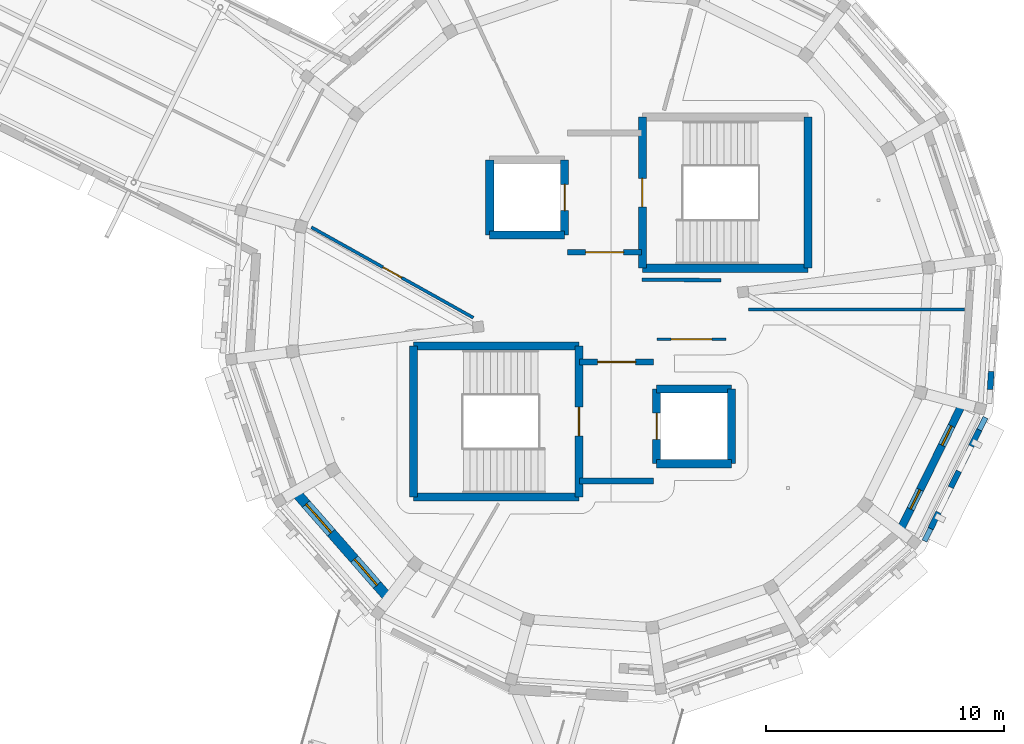
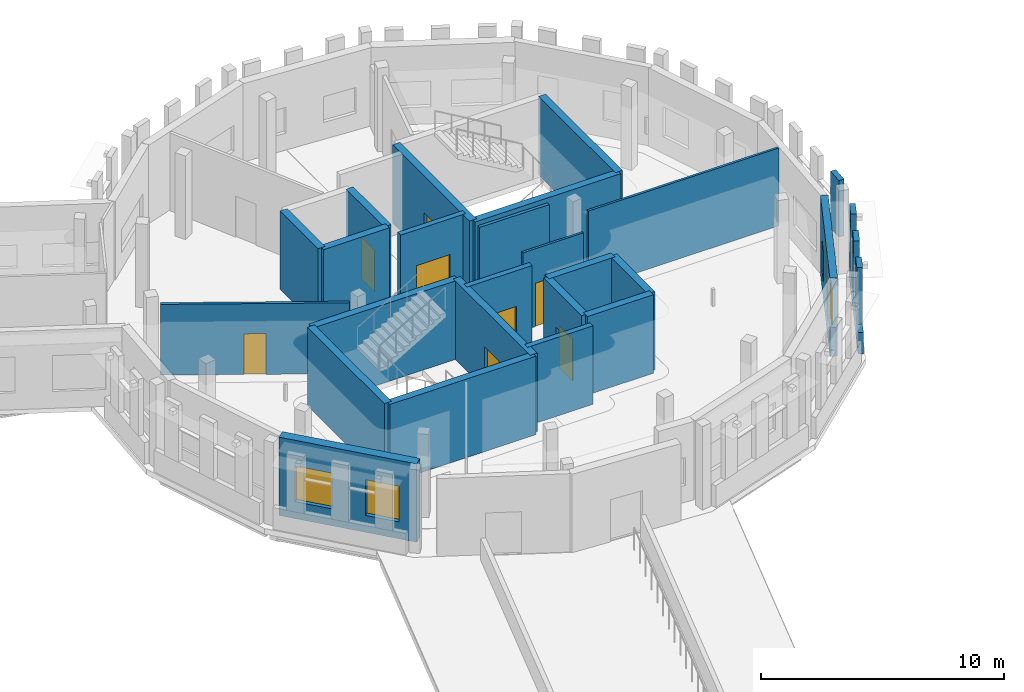
# One storey, part 50 of 68: 28 walls, 8 doors, 4 windows, 12 openings.
"""IFC4 building model written with IfcOpenShell, lengths in metres."""

from ifc_helpers import new_model, si_unit, direction, frame, frame_2d, origin, place, context, subcontext, project, spatial, rectangle, extrude, material, layer, layer_set, type_object, element, fill, save


model = new_model("IFC4")

# Units and contexts
model_context = context("Model", 3, precision=1e-05, world=origin(), true_north=direction((0.0, 1.0)))
body_context = subcontext(model_context, "Body", "Model", "MODEL_VIEW")
ifc_project = project(units=[si_unit("LENGTHUNIT", "METRE"), si_unit("AREAUNIT", "SQUARE_METRE"), si_unit("VOLUMEUNIT", "CUBIC_METRE"), si_unit("PLANEANGLEUNIT", "RADIAN"), si_unit("MASSUNIT", "GRAM", prefix="KILO")], contexts=[model_context])

# Site, building, storey
site_placement = place(None, origin())
site = spatial("IfcSite", under=ifc_project, at=site_placement, CompositionType="ELEMENT")
building_placement = place(site_placement, origin())
building = spatial("IfcBuilding", under=site, at=building_placement, Name="Wrenclough Park School", CompositionType="ELEMENT")
storey_placement = place(building_placement, frame((0.0, 0.0, 12.60009765625)))
storey = spatial("IfcBuildingStorey", under=building, at=storey_placement, Name="L03", CompositionType="ELEMENT", Elevation=12.60009765625)

# Walls
ifc_material_1 = material(Name="Perforated open-bond Staffordshire and Manchester brick screen pier", Category="masonry")
ifc_layer_1 = layer(ifc_material_1, 0.2451171875)
ifc_layer_set_1 = layer_set([ifc_layer_1], Name="Perforated open-bond Staffordshire and Manchester brick screen pier")
wall_type_1 = type_object("IfcWallType", Name="ENV-BS-PR245", PredefinedType="ELEMENTEDWALL", material=ifc_layer_set_1)
for number, where, z_axis, x_axis, name in (
    (1, (187.919921875, 84.308837890625, 1.08984375), (0.0, 0.0, 1.0), (0.442324339485, 0.896855160379, 0.0), "D5 L03 perforated brick screen pier 0878"),
    (2, (188.7724609375, 86.03759765625, 1.08984375), (0.0, 0.0, 1.0), (0.442324339485, 0.896855160379, 0.0), "D5 L03 perforated brick screen pier 0879"),
):
    element("IfcWall", number, at=place(storey_placement, frame(where, z_axis=z_axis, x_axis=x_axis)), inside=storey, type_object=wall_type_1, Name=name, PredefinedType="ELEMENTEDWALL", context=body_context, shape_type="SweptSolid", body=[
        extrude(rectangle(XDim=0.760009765625, YDim=0.2451171875, at=frame_2d((0.3798828125, 0.0))), origin(), (0.0, 0.0, 1.0), 2.85009765625),
    ])
wall_1_placement = place(storey_placement, frame((189.625, 87.7666015625, 1.08984375), z_axis=(0.0, 0.0, 1.0), x_axis=(0.442451801258, 0.896792285629, 0.0)))
element("IfcWall", 3, at=wall_1_placement, inside=storey, type_object=wall_type_1, Name="D5 L03 perforated brick screen pier 0880", PredefinedType="ELEMENTEDWALL", context=body_context, shape_type="SweptSolid", body=[
    extrude(rectangle(XDim=0.759765625, YDim=0.2451171875, at=frame_2d((0.3798828125, 0.0))), origin(), (0.0, 0.0, 1.0), 2.85009765625),
])
wall_2_placement = place(storey_placement, frame((190.415771484375, 90.14453125, 1.08984375), z_axis=(0.0, 0.0, 1.0), x_axis=(0.065218228618, 0.997871025061, 0.0)))
element("IfcWall", 4, at=wall_2_placement, inside=storey, type_object=wall_type_1, Name="D5 L03 perforated brick screen pier 0881", PredefinedType="ELEMENTEDWALL", context=body_context, shape_type="SweptSolid", body=[
    extrude(rectangle(XDim=0.760009765625, YDim=0.2451171875, at=frame_2d((0.3798828125, 0.0))), origin(), (0.0, 0.0, 1.0), 2.85009765625),
])
ifc_material_2 = material(Name="Open-bond Manchester multi-stock brick spandrel screen", Category="masonry")
ifc_layer_2 = layer(ifc_material_2, 0.22509765625)
ifc_layer_set_2 = layer_set([ifc_layer_2], Name="Open-bond Manchester multi-stock brick spandrel screen")
wall_type_2 = type_object("IfcWallType", Name="ENV-BS-SP225", PredefinedType="ELEMENTEDWALL", material=ifc_layer_set_2)
wall_3_placement = place(storey_placement, frame((187.66162109375, 83.78515625, 0.0), z_axis=(0.0, 0.0, 1.0), x_axis=(0.442309695915, 0.896862382364, 0.0)))
element("IfcWall", 5, at=wall_3_placement, inside=storey, type_object=wall_type_2, Name="D5 L03 open-bond brick screen spandrel 0238", PredefinedType="ELEMENTEDWALL", context=body_context, shape_type="SweptSolid", body=[
    extrude(rectangle(XDim=5.782958984375, YDim=0.22509765625, at=frame_2d((2.8916015625, 0.0))), origin(), (0.0, 0.0, 1.0), 1.08984375),
])

# Wall, openings, windows
ifc_material_3 = material(Name="Manchester multi-stock brick and Concrete C32/40 inner leaf", Category="masonry")
ifc_layer_3 = layer(ifc_material_3, 0.324951171875)
ifc_layer_set_3 = layer_set([ifc_layer_3], Name="Manchester multi-stock brick and Concrete C32/40 inner leaf")
wall_type_3 = type_object("IfcWallType", Name="ENV-EW-325", PredefinedType="SOLIDWALL", material=ifc_layer_set_3)
wall_4_placement = place(storey_placement, frame((189.257080078125, 89.5458984375, 0.0), z_axis=(0.0, 0.0, 1.0), x_axis=(-0.442275786664, -0.896879104746, 0.0)))
wall_4 = element("IfcWall", 6, at=wall_4_placement, inside=storey, type_object=wall_type_3, Name="L03 insulated brick external wall 0297", PredefinedType="SOLIDWALL", context=body_context, shape_type="SweptSolid", body=[
    extrude(rectangle(XDim=5.961181640625, YDim=0.324951171875, at=frame_2d((2.98046875, 0.0))), origin(), (0.0, 0.0, 1.0), 3.93994140625),
])
opening_1_placement = place(wall_4_placement, frame((1.040283203125, 0.0, 0.85009765625)))
opening_1 = element("IfcOpeningElement", 7, at=opening_1_placement, cuts=wall_4, Name="Opening WN-13", PredefinedType="OPENING", context=body_context, shape_type="SweptSolid", body=[
    extrude(rectangle(XDim=0.89990234375, YDim=1.60009765625, at=frame_2d((0.449951171875, 0.800048828125))), frame((0.0, 0.17236328125, 0.0), z_axis=(0.0, -1.0, 0.0), x_axis=(1.0, 0.0, 0.0)), (0.0, 0.0, 1.0), 0.344970703125),
])
opening_2_placement = place(wall_4_placement, frame((4.02099609375, 0.0, 0.85009765625)))
opening_2 = element("IfcOpeningElement", 8, at=opening_2_placement, cuts=wall_4, Name="Opening WN-13", PredefinedType="OPENING", context=body_context, shape_type="SweptSolid", body=[
    extrude(rectangle(XDim=0.89990234375, YDim=1.60009765625, at=frame_2d((0.449951171875, 0.800048828125))), frame((0.0, 0.17236328125, 0.0), z_axis=(0.0, -1.0, 0.0), x_axis=(1.0, 0.0, 0.0)), (0.0, 0.0, 1.0), 0.344970703125),
])
ifc_material_4 = material(Name="Thermally broken aluminium and double-glazed low-e glass", Category="aluminium")
window_type_1 = type_object("IfcWindowType", Name="ENV-WN-13", PartitioningType="SINGLE_PANEL", PredefinedType="WINDOW", material=ifc_material_4)
window_1_placement = place(opening_1_placement, origin())
window_1 = element("IfcWindow", 9, at=window_1_placement, inside=storey, type_object=window_type_1, Name="L03 scheduled facade window 0502", OverallHeight=1.60009765625, OverallWidth=0.89990234375, PartitioningType="SINGLE_PANEL", PredefinedType="WINDOW", context=body_context, shape_type="SweptSolid", body=[
    extrude(rectangle(XDim=0.89990234375, YDim=1.60009765625, at=frame_2d((0.449951171875, 0.800048828125))), frame((0.0, 0.030029296875, 0.0), z_axis=(0.0, -1.0, 0.0), x_axis=(1.0, 0.0, 0.0)), (0.0, 0.0, 1.0), 0.06005859375),
])
fill(opening_1, window_1)
window_2_placement = place(opening_2_placement, origin())
window_2 = element("IfcWindow", 10, at=window_2_placement, inside=storey, type_object=window_type_1, Name="L03 scheduled facade window 0503", OverallHeight=1.60009765625, OverallWidth=0.89990234375, PartitioningType="SINGLE_PANEL", PredefinedType="WINDOW", context=body_context, shape_type="SweptSolid", body=[
    extrude(rectangle(XDim=0.89990234375, YDim=1.60009765625, at=frame_2d((0.449951171875, 0.800048828125))), frame((0.0, 0.030029296875, 0.0), z_axis=(0.0, -1.0, 0.0), x_axis=(1.0, 0.0, 0.0)), (0.0, 0.0, 1.0), 0.06005859375),
])
fill(opening_2, window_2)

ifc_material_5 = material(Name="Insulated brick-clad sports hall wall Concrete C40/50", Category="masonry")
ifc_layer_4 = layer(ifc_material_5, 0.425048828125)
ifc_layer_set_4 = layer_set([ifc_layer_4], Name="Insulated brick-clad sports hall wall Concrete C40/50")
wall_type_4 = type_object("IfcWallType", Name="ENV-EW-425", PredefinedType="SOLIDWALL", material=ifc_layer_set_4)
wall_5_placement = place(storey_placement, frame((165.21533203125, 81.361572265625, 0.0), z_axis=(0.0, 0.0, 1.0), x_axis=(-0.659376339388, 0.7518130373, 0.0)))
wall_5 = element("IfcWall", 11, at=wall_5_placement, inside=storey, type_object=wall_type_4, Name="L03 insulated brick external wall 0253", PredefinedType="SOLIDWALL", context=body_context, shape_type="SweptSolid", body=[
    extrude(rectangle(XDim=5.98486328125, YDim=0.425048828125, at=frame_2d((2.992431640625, 0.0))), origin(), (0.0, 0.0, 1.0), 3.93994140625),
])
opening_3_placement = place(wall_5_placement, frame((0.771240234375, 0.0, 0.85009765625)))
opening_3 = element("IfcOpeningElement", 12, at=opening_3_placement, cuts=wall_5, Name="Opening WN-28", PredefinedType="OPENING", context=body_context, shape_type="SweptSolid", body=[
    extrude(rectangle(XDim=1.449951171875, YDim=1.800048828125, at=frame_2d((0.72509765625, 0.89990234375))), frame((0.0, 0.222412109375, 0.0), z_axis=(0.0, -1.0, 0.0), x_axis=(1.0, 0.0, 0.0)), (0.0, 0.0, 1.0), 0.445068359375),
])
opening_4_placement = place(wall_5_placement, frame((3.688720703125, 0.0, 0.85009765625)))
opening_4 = element("IfcOpeningElement", 13, at=opening_4_placement, cuts=wall_5, Name="Opening WN-29", PredefinedType="OPENING", context=body_context, shape_type="SweptSolid", body=[
    extrude(rectangle(XDim=1.60009765625, YDim=1.800048828125, at=frame_2d((0.800048828125, 0.89990234375))), frame((0.0, 0.222412109375, 0.0), z_axis=(0.0, -1.0, 0.0), x_axis=(1.0, 0.0, 0.0)), (0.0, 0.0, 1.0), 0.445068359375),
])
window_type_2 = type_object("IfcWindowType", Name="ENV-WN-28", PartitioningType="SINGLE_PANEL", PredefinedType="WINDOW", material=ifc_material_4)
window_3_placement = place(opening_3_placement, origin())
window_3 = element("IfcWindow", 14, at=window_3_placement, inside=storey, type_object=window_type_2, Name="L03 scheduled facade window 0419", OverallHeight=1.800048828125, OverallWidth=1.449951171875, PartitioningType="SINGLE_PANEL", PredefinedType="WINDOW", context=body_context, shape_type="SweptSolid", body=[
    extrude(rectangle(XDim=1.449951171875, YDim=1.800048828125, at=frame_2d((0.72509765625, 0.89990234375))), frame((0.0, 0.030029296875, 0.0), z_axis=(0.0, -1.0, 0.0), x_axis=(1.0, 0.0, 0.0)), (0.0, 0.0, 1.0), 0.06005859375),
])
fill(opening_3, window_3)
window_type_3 = type_object("IfcWindowType", Name="ENV-WN-29", PartitioningType="DOUBLE_PANEL_VERTICAL", PredefinedType="WINDOW", material=ifc_material_4)
window_4_placement = place(opening_4_placement, origin())
window_4 = element("IfcWindow", 15, at=window_4_placement, inside=storey, type_object=window_type_3, Name="L03 scheduled facade window 0420", OverallHeight=1.800048828125, OverallWidth=1.60009765625, PartitioningType="SINGLE_PANEL", PredefinedType="WINDOW", context=body_context, shape_type="SweptSolid", body=[
    extrude(rectangle(XDim=1.60009765625, YDim=1.800048828125, at=frame_2d((0.800048828125, 0.89990234375))), frame((0.0, 0.030029296875, 0.0), z_axis=(0.0, -1.0, 0.0), x_axis=(1.0, 0.0, 0.0)), (0.0, 0.0, 1.0), 0.06005859375),
])
fill(opening_4, window_4)

# Wall
ifc_material_6 = material(Name="Concrete C35/45", Category="concrete")
ifc_layer_5 = layer(ifc_material_6, 0.25)
ifc_layer_set_5 = layer_set([ifc_layer_5], Name="Concrete C35/45")
wall_type_5 = type_object("IfcWallType", Name="INT-CW-250", PredefinedType="SHEAR", material=ifc_layer_set_5)
wall_6_placement = place(storey_placement, frame((173.199951171875, 86.300048828125, 0.0), z_axis=(0.0, 0.0, 1.0), x_axis=(1.0, 0.0, 0.0)))
element("IfcWall", 16, at=wall_6_placement, inside=storey, type_object=wall_type_5, Name="Core C5 L03 lobby fire wall south", PredefinedType="SHEAR", context=body_context, shape_type="SweptSolid", body=[
    extrude(rectangle(XDim=3.10009765625, YDim=0.25, at=frame_2d((1.550048828125, 0.0))), origin(), (0.0, 0.0, 1.0), 3.949951171875),
])

# Wall, opening, door
wall_7_placement = place(storey_placement, frame((176.300048828125, 91.300048828125, 0.0), z_axis=(0.0, 0.0, 1.0), x_axis=(-1.0, 0.0, 0.0)))
wall_7 = element("IfcWall", 17, at=wall_7_placement, inside=storey, type_object=wall_type_5, Name="Core C5 L03 lobby fire wall north", PredefinedType="SHEAR", context=body_context, shape_type="SweptSolid", body=[
    extrude(rectangle(XDim=3.10009765625, YDim=0.25, at=frame_2d((1.550048828125, 0.0))), origin(), (0.0, 0.0, 1.0), 3.949951171875),
])
opening_5_placement = place(wall_7_placement, frame((0.75, 0.0, 0.0)))
opening_5 = element("IfcOpeningElement", 18, at=opening_5_placement, cuts=wall_7, Name="Opening DLB-C5-L03", PredefinedType="OPENING", context=body_context, shape_type="SweptSolid", body=[
    extrude(rectangle(XDim=1.60009765625, YDim=2.14990234375, at=frame_2d((0.800048828125, 1.074951171875))), frame((0.0, 0.135009765625, 0.0), z_axis=(0.0, -1.0, 0.0), x_axis=(1.0, 0.0, 0.0)), (0.0, 0.0, 1.0), 0.27001953125),
])
ifc_material_7 = material(Name="Double-leaf firefighting lobby door assembly", Category="wood")
door_type_1 = type_object("IfcDoorType", Name="INT-DR-FF160", OperationType="NOTDEFINED", PredefinedType="DOOR", material=ifc_material_7)
door_1_placement = place(opening_5_placement, origin())
door_1 = element("IfcDoor", 19, at=door_1_placement, inside=storey, type_object=door_type_1, Name="Core C5 L03 protected lobby fire door", OperationType="DOUBLE_DOOR_SINGLE_SWING", OverallHeight=2.14990234375, OverallWidth=1.60009765625, PredefinedType="DOOR", context=body_context, shape_type="SweptSolid", body=[
    extrude(rectangle(XDim=1.60009765625, YDim=2.14990234375, at=frame_2d((0.800048828125, 1.074951171875))), frame((0.0, 0.02490234375, 0.0), z_axis=(0.0, -1.0, 0.0), x_axis=(1.0, 0.0, 0.0)), (0.0, 0.0, 1.0), 0.050048828125),
])
fill(opening_5, door_1)

wall_8_placement = place(storey_placement, frame((172.699951171875, 95.89990234375, 0.0), z_axis=(0.0, 0.0, 1.0), x_axis=(1.0, 0.0, 0.0)))
wall_8 = element("IfcWall", 20, at=wall_8_placement, inside=storey, type_object=wall_type_5, Name="Core C6 L03 lobby fire wall south", PredefinedType="SHEAR", context=body_context, shape_type="SweptSolid", body=[
    extrude(rectangle(XDim=3.10009765625, YDim=0.25, at=frame_2d((1.550048828125, 0.0))), origin(), (0.0, 0.0, 1.0), 3.949951171875),
])
opening_6_placement = place(wall_8_placement, frame((0.75, 0.0, 0.0)))
opening_6 = element("IfcOpeningElement", 21, at=opening_6_placement, cuts=wall_8, Name="Opening DLB-C6-L03", PredefinedType="OPENING", context=body_context, shape_type="SweptSolid", body=[
    extrude(rectangle(XDim=1.60009765625, YDim=2.14990234375, at=frame_2d((0.800048828125, 1.074951171875))), frame((0.0, 0.135009765625, 0.0), z_axis=(0.0, -1.0, 0.0), x_axis=(1.0, 0.0, 0.0)), (0.0, 0.0, 1.0), 0.27001953125),
])
door_2_placement = place(opening_6_placement, origin())
door_2 = element("IfcDoor", 22, at=door_2_placement, inside=storey, type_object=door_type_1, Name="Core C6 L03 protected lobby fire door", OperationType="DOUBLE_DOOR_SINGLE_SWING", OverallHeight=2.14990234375, OverallWidth=1.60009765625, PredefinedType="DOOR", context=body_context, shape_type="SweptSolid", body=[
    extrude(rectangle(XDim=1.60009765625, YDim=2.14990234375, at=frame_2d((0.800048828125, 1.074951171875))), frame((0.0, 0.02490234375, 0.0), z_axis=(0.0, -1.0, 0.0), x_axis=(1.0, 0.0, 0.0)), (0.0, 0.0, 1.0), 0.050048828125),
])
fill(opening_6, door_2)

# Wall
ifc_material_8 = material(Name="Concrete C40/50", Category="concrete")
ifc_layer_6 = layer(ifc_material_8, 0.340087890625)
ifc_layer_set_6 = layer_set([ifc_layer_6], Name="Concrete C40/50")
wall_type_6 = type_object("IfcWallType", Name="INT-CW-340", PredefinedType="SHEAR", material=ifc_layer_set_6)
wall_9_placement = place(storey_placement, frame((166.22998046875, 85.6298828125, 0.0), z_axis=(0.0, 0.0, 1.0), x_axis=(1.0, 0.0, 0.0)))
element("IfcWall", 23, at=wall_9_placement, inside=storey, type_object=wall_type_6, Name="Core C5 L03 south shear wall", PredefinedType="SHEAR", context=body_context, shape_type="SweptSolid", body=[
    extrude(rectangle(XDim=6.93994140625, YDim=0.340087890625, at=frame_2d((3.469970703125, 0.0))), origin(), (0.0, 0.0, 1.0), 3.949951171875),
])

# Wall, opening, door
wall_10_placement = place(storey_placement, frame((173.169921875, 85.6298828125, 0.0), z_axis=(0.0, 0.0, 1.0), x_axis=(0.0, 1.0, 0.0)))
wall_10 = element("IfcWall", 24, at=wall_10_placement, inside=storey, type_object=wall_type_6, Name="Core C5 L03 east shear wall", PredefinedType="SHEAR", context=body_context, shape_type="SweptSolid", body=[
    extrude(rectangle(XDim=6.340087890625, YDim=0.340087890625, at=frame_2d((3.169921875, 0.0))), origin(), (0.0, 0.0, 1.0), 3.949951171875),
])
opening_7_placement = place(wall_10_placement, frame((2.570068359375, 0.0, 0.0)))
opening_7 = element("IfcOpeningElement", 25, at=opening_7_placement, cuts=wall_10, Name="Opening DST-C5-L03", PredefinedType="OPENING", context=body_context, shape_type="SweptSolid", body=[
    extrude(rectangle(XDim=1.199951171875, YDim=2.10009765625, at=frame_2d((0.60009765625, 1.050048828125))), frame((0.0, 0.179931640625, 0.0), z_axis=(0.0, -1.0, 0.0), x_axis=(1.0, 0.0, 0.0)), (0.0, 0.0, 1.0), 0.360107421875),
])
ifc_material_9 = material(Name="Solid-core hardwood firefighting stair door assembly", Category="wood")
door_type_2 = type_object("IfcDoorType", Name="INT-DR-FF120", OperationType="NOTDEFINED", PredefinedType="DOOR", material=ifc_material_9)
door_3_placement = place(opening_7_placement, origin())
door_3 = element("IfcDoor", 26, at=door_3_placement, inside=storey, type_object=door_type_2, Name="Stair ST-05 L03 fire door", OperationType="SINGLE_SWING_RIGHT", OverallHeight=2.10009765625, OverallWidth=1.199951171875, PredefinedType="DOOR", context=body_context, shape_type="SweptSolid", body=[
    extrude(rectangle(XDim=1.199951171875, YDim=2.10009765625, at=frame_2d((0.60009765625, 1.050048828125))), frame((0.0, 0.02490234375, 0.0), z_axis=(0.0, -1.0, 0.0), x_axis=(1.0, 0.0, 0.0)), (0.0, 0.0, 1.0), 0.050048828125),
])
fill(opening_7, door_3)

# Walls
wall_11_placement = place(storey_placement, frame((173.169921875, 91.969970703125, 0.0), z_axis=(0.0, 0.0, 1.0), x_axis=(-1.0, 0.0, 0.0)))
element("IfcWall", 27, at=wall_11_placement, inside=storey, type_object=wall_type_6, Name="Core C5 L03 north shear wall", PredefinedType="SHEAR", context=body_context, shape_type="SweptSolid", body=[
    extrude(rectangle(XDim=6.93994140625, YDim=0.340087890625, at=frame_2d((3.469970703125, 0.0))), origin(), (0.0, 0.0, 1.0), 3.949951171875),
])
wall_12_placement = place(storey_placement, frame((166.22998046875, 91.969970703125, 0.0), z_axis=(0.0, 0.0, 1.0), x_axis=(0.0, -1.0, 0.0)))
element("IfcWall", 28, at=wall_12_placement, inside=storey, type_object=wall_type_6, Name="Core C5 L03 west shear wall", PredefinedType="SHEAR", context=body_context, shape_type="SweptSolid", body=[
    extrude(rectangle(XDim=6.340087890625, YDim=0.340087890625, at=frame_2d((3.169921875, 0.0))), origin(), (0.0, 0.0, 1.0), 3.949951171875),
])
wall_13_placement = place(storey_placement, frame((176.429931640625, 87.030029296875, 0.0), z_axis=(0.0, 0.0, 1.0), x_axis=(1.0, 0.0, 0.0)))
element("IfcWall", 29, at=wall_13_placement, inside=storey, type_object=wall_type_6, Name="Lift LFT-01 L03 south shaft wall", PredefinedType="SHEAR", context=body_context, shape_type="SweptSolid", body=[
    extrude(rectangle(XDim=3.14013671875, YDim=0.340087890625, at=frame_2d((1.570068359375, 0.0))), origin(), (0.0, 0.0, 1.0), 3.949951171875),
])
wall_14_placement = place(storey_placement, frame((179.570068359375, 87.030029296875, 0.0), z_axis=(0.0, 0.0, 1.0), x_axis=(0.0, 1.0, 0.0)))
element("IfcWall", 30, at=wall_14_placement, inside=storey, type_object=wall_type_6, Name="Lift LFT-01 L03 east shaft wall", PredefinedType="SHEAR", context=body_context, shape_type="SweptSolid", body=[
    extrude(rectangle(XDim=3.139892578125, YDim=0.340087890625, at=frame_2d((1.56982421875, 0.0))), origin(), (0.0, 0.0, 1.0), 3.949951171875),
])
wall_15_placement = place(storey_placement, frame((179.570068359375, 90.169921875, 0.0), z_axis=(0.0, 0.0, 1.0), x_axis=(-1.0, 0.0, 0.0)))
element("IfcWall", 31, at=wall_15_placement, inside=storey, type_object=wall_type_6, Name="Lift LFT-01 L03 north shaft wall", PredefinedType="SHEAR", context=body_context, shape_type="SweptSolid", body=[
    extrude(rectangle(XDim=3.14013671875, YDim=0.340087890625, at=frame_2d((1.570068359375, 0.0))), origin(), (0.0, 0.0, 1.0), 3.949951171875),
])

# Wall, opening, door
wall_16_placement = place(storey_placement, frame((176.429931640625, 90.169921875, 0.0), z_axis=(0.0, 0.0, 1.0), x_axis=(0.0, -1.0, 0.0)))
wall_16 = element("IfcWall", 32, at=wall_16_placement, inside=storey, type_object=wall_type_6, Name="Lift LFT-01 L03 west shaft wall", PredefinedType="SHEAR", context=body_context, shape_type="SweptSolid", body=[
    extrude(rectangle(XDim=3.139892578125, YDim=0.340087890625, at=frame_2d((1.56982421875, 0.0))), origin(), (0.0, 0.0, 1.0), 3.949951171875),
])
opening_8_placement = place(wall_16_placement, frame((1.02001953125, 0.0, 0.0)))
opening_8 = element("IfcOpeningElement", 33, at=opening_8_placement, cuts=wall_16, Name="Opening LD-01-L03", PredefinedType="OPENING", context=body_context, shape_type="SweptSolid", body=[
    extrude(rectangle(XDim=1.10009765625, YDim=2.10009765625, at=frame_2d((0.550048828125, 1.050048828125))), frame((0.0, 0.179931640625, 0.0), z_axis=(0.0, -1.0, 0.0), x_axis=(1.0, 0.0, 0.0)), (0.0, 0.0, 1.0), 0.360107421875),
])
ifc_material_10 = material(Name="Brushed stainless steel", Category="steel")
door_type_3 = type_object("IfcDoorType", Name="INT-DR-LD110", OperationType="NOTDEFINED", PredefinedType="DOOR", material=ifc_material_10)
door_4_placement = place(opening_8_placement, frame((1.10009765625, 0.0, 0.0), z_axis=(0.0, 0.0, 1.0), x_axis=(-1.0, 0.0, 0.0)))
door_4 = element("IfcDoor", 34, at=door_4_placement, inside=storey, type_object=door_type_3, Name="Lift LFT-01 L03 sliding landing door", OperationType="DOUBLE_DOOR_SLIDING", OverallHeight=2.10009765625, OverallWidth=1.10009765625, PredefinedType="DOOR", context=body_context, shape_type="SweptSolid", body=[
    extrude(rectangle(XDim=1.10009765625, YDim=2.10009765625, at=frame_2d((0.550048828125, 1.050048828125))), frame((0.0, 0.02490234375, 0.0), z_axis=(0.0, -1.0, 0.0), x_axis=(1.0, 0.0, 0.0)), (0.0, 0.0, 1.0), 0.050048828125),
])
fill(opening_8, door_4)

# Walls
wall_17_placement = place(storey_placement, frame((175.830078125, 95.22998046875, 0.0), z_axis=(0.0, 0.0, 1.0), x_axis=(1.0, 0.0, 0.0)))
element("IfcWall", 35, at=wall_17_placement, inside=storey, type_object=wall_type_6, Name="Core C6 L03 south shear wall", PredefinedType="SHEAR", context=body_context, shape_type="SweptSolid", body=[
    extrude(rectangle(XDim=6.93994140625, YDim=0.340087890625, at=frame_2d((3.469970703125, 0.0))), origin(), (0.0, 0.0, 1.0), 3.949951171875),
])
wall_18_placement = place(storey_placement, frame((182.77001953125, 95.22998046875, 0.0), z_axis=(0.0, 0.0, 1.0), x_axis=(0.0, 1.0, 0.0)))
element("IfcWall", 36, at=wall_18_placement, inside=storey, type_object=wall_type_6, Name="Core C6 L03 east shear wall", PredefinedType="SHEAR", context=body_context, shape_type="SweptSolid", body=[
    extrude(rectangle(XDim=6.340087890625, YDim=0.340087890625, at=frame_2d((3.169921875, 0.0))), origin(), (0.0, 0.0, 1.0), 3.949951171875),
])

# Wall, opening, door
wall_19_placement = place(storey_placement, frame((175.830078125, 101.570068359375, 0.0), z_axis=(0.0, 0.0, 1.0), x_axis=(0.0, -1.0, 0.0)))
wall_19 = element("IfcWall", 37, at=wall_19_placement, inside=storey, type_object=wall_type_6, Name="Core C6 L03 west shear wall", PredefinedType="SHEAR", context=body_context, shape_type="SweptSolid", body=[
    extrude(rectangle(XDim=6.340087890625, YDim=0.340087890625, at=frame_2d((3.169921875, 0.0))), origin(), (0.0, 0.0, 1.0), 3.949951171875),
])
opening_9_placement = place(wall_19_placement, frame((2.570068359375, 0.0, 0.0)))
opening_9 = element("IfcOpeningElement", 38, at=opening_9_placement, cuts=wall_19, Name="Opening DST-C6-L03", PredefinedType="OPENING", context=body_context, shape_type="SweptSolid", body=[
    extrude(rectangle(XDim=1.199951171875, YDim=2.10009765625, at=frame_2d((0.60009765625, 1.050048828125))), frame((0.0, 0.179931640625, 0.0), z_axis=(0.0, -1.0, 0.0), x_axis=(1.0, 0.0, 0.0)), (0.0, 0.0, 1.0), 0.360107421875),
])
door_5_placement = place(opening_9_placement, origin())
door_5 = element("IfcDoor", 39, at=door_5_placement, inside=storey, type_object=door_type_2, Name="Stair ST-06 L03 fire door", OperationType="SINGLE_SWING_RIGHT", OverallHeight=2.10009765625, OverallWidth=1.199951171875, PredefinedType="DOOR", context=body_context, shape_type="SweptSolid", body=[
    extrude(rectangle(XDim=1.199951171875, YDim=2.10009765625, at=frame_2d((0.60009765625, 1.050048828125))), frame((0.0, 0.02490234375, 0.0), z_axis=(0.0, -1.0, 0.0), x_axis=(1.0, 0.0, 0.0)), (0.0, 0.0, 1.0), 0.050048828125),
])
fill(opening_9, door_5)

# Wall
wall_20_placement = place(storey_placement, frame((169.429931640625, 96.6298828125, 0.0), z_axis=(0.0, 0.0, 1.0), x_axis=(1.0, 0.0, 0.0)))
element("IfcWall", 40, at=wall_20_placement, inside=storey, type_object=wall_type_6, Name="Lift LFT-02 L03 south shaft wall", PredefinedType="SHEAR", context=body_context, shape_type="SweptSolid", body=[
    extrude(rectangle(XDim=3.14013671875, YDim=0.340087890625, at=frame_2d((1.570068359375, 0.0))), origin(), (0.0, 0.0, 1.0), 3.949951171875),
])

# Wall, opening, door
wall_21_placement = place(storey_placement, frame((172.570068359375, 96.6298828125, 0.0), z_axis=(0.0, 0.0, 1.0), x_axis=(0.0, 1.0, 0.0)))
wall_21 = element("IfcWall", 41, at=wall_21_placement, inside=storey, type_object=wall_type_6, Name="Lift LFT-02 L03 east shaft wall", PredefinedType="SHEAR", context=body_context, shape_type="SweptSolid", body=[
    extrude(rectangle(XDim=3.14013671875, YDim=0.340087890625, at=frame_2d((1.570068359375, 0.0))), origin(), (0.0, 0.0, 1.0), 3.949951171875),
])
opening_10_placement = place(wall_21_placement, frame((1.02001953125, 0.0, 0.0)))
opening_10 = element("IfcOpeningElement", 42, at=opening_10_placement, cuts=wall_21, Name="Opening LD-02-L03", PredefinedType="OPENING", context=body_context, shape_type="SweptSolid", body=[
    extrude(rectangle(XDim=1.10009765625, YDim=2.10009765625, at=frame_2d((0.550048828125, 1.050048828125))), frame((0.0, 0.179931640625, 0.0), z_axis=(0.0, -1.0, 0.0), x_axis=(1.0, 0.0, 0.0)), (0.0, 0.0, 1.0), 0.360107421875),
])
door_6_placement = place(opening_10_placement, frame((1.10009765625, 0.0, 0.0), z_axis=(0.0, 0.0, 1.0), x_axis=(-1.0, 0.0, 0.0)))
door_6 = element("IfcDoor", 43, at=door_6_placement, inside=storey, type_object=door_type_3, Name="Lift LFT-02 L03 sliding landing door", OperationType="DOUBLE_DOOR_SLIDING", OverallHeight=2.10009765625, OverallWidth=1.10009765625, PredefinedType="DOOR", context=body_context, shape_type="SweptSolid", body=[
    extrude(rectangle(XDim=1.10009765625, YDim=2.10009765625, at=frame_2d((0.550048828125, 1.050048828125))), frame((0.0, 0.02490234375, 0.0), z_axis=(0.0, -1.0, 0.0), x_axis=(1.0, 0.0, 0.0)), (0.0, 0.0, 1.0), 0.050048828125),
])
fill(opening_10, door_6)

# Wall
wall_22_placement = place(storey_placement, frame((169.429931640625, 99.77001953125, 0.0), z_axis=(0.0, 0.0, 1.0), x_axis=(0.0, -1.0, 0.0)))
element("IfcWall", 44, at=wall_22_placement, inside=storey, type_object=wall_type_6, Name="Lift LFT-02 L03 west shaft wall", PredefinedType="SHEAR", context=body_context, shape_type="SweptSolid", body=[
    extrude(rectangle(XDim=3.14013671875, YDim=0.340087890625, at=frame_2d((1.570068359375, 0.0))), origin(), (0.0, 0.0, 1.0), 3.949951171875),
])

# Wall, opening, door
ifc_material_11 = material(Name="Lightweight fire-rated store partition", Category="gypsum")
ifc_layer_7 = layer(ifc_material_11, 0.110107421875)
ifc_layer_set_7 = layer_set([ifc_layer_7], Name="Lightweight fire-rated store partition")
wall_type_7 = type_object("IfcWallType", Name="INT-PW-110", PredefinedType="PARTITIONING", material=ifc_layer_set_7)
wall_23_placement = place(storey_placement, frame((179.33251953125, 92.25, 0.0), z_axis=(0.0, 0.0, 1.0), x_axis=(-1.0, 0.0, 0.0)))
wall_23 = element("IfcWall", 45, at=wall_23_placement, inside=storey, type_object=wall_type_7, Name="L03 internal partition 0480", PredefinedType="PARTITIONING", context=body_context, shape_type="SweptSolid", body=[
    extrude(rectangle(XDim=2.881103515625, YDim=0.110107421875, at=frame_2d((1.4404296875, 0.0))), origin(), (0.0, 0.0, 1.0), 3.914794921875),
])
opening_11_placement = place(wall_23_placement, frame((0.5908203125, 0.0, 0.0)))
opening_11 = element("IfcOpeningElement", 46, at=opening_11_placement, cuts=wall_23, Name="Opening DR-L03-099", PredefinedType="OPENING", context=body_context, shape_type="SweptSolid", body=[
    extrude(rectangle(XDim=1.699951171875, YDim=2.179931640625, at=frame_2d((0.85009765625, 1.08984375))), frame((0.0, 0.06494140625, 0.0), z_axis=(0.0, -1.0, 0.0), x_axis=(1.0, 0.0, 0.0)), (0.0, 0.0, 1.0), 0.130126953125),
])
ifc_material_12 = material(Name="Library reading room double vision door assembly", Category="wood")
door_type_4 = type_object("IfcDoorType", Name="INT-DR-LIB170", OperationType="NOTDEFINED", PredefinedType="DOOR", material=ifc_material_12)
door_7_placement = place(opening_11_placement, origin())
door_7 = element("IfcDoor", 47, at=door_7_placement, inside=storey, type_object=door_type_4, Name="Main Learning Resource Library door DR-L03-099", OperationType="DOUBLE_DOOR_SINGLE_SWING", OverallHeight=2.179931640625, OverallWidth=1.699951171875, PredefinedType="DOOR", context=body_context, shape_type="SweptSolid", body=[
    extrude(rectangle(XDim=1.699951171875, YDim=2.179931640625, at=frame_2d((0.85009765625, 1.08984375))), frame((0.0, 0.02490234375, 0.0), z_axis=(0.0, -1.0, 0.0), x_axis=(1.0, 0.0, 0.0)), (0.0, 0.0, 1.0), 0.050048828125),
])
fill(opening_11, door_7)

# Wall
wall_24_placement = place(storey_placement, frame((189.3408203125, 93.5, 0.0), z_axis=(0.0, 0.0, 1.0), x_axis=(-1.0, 0.0, 0.0)))
element("IfcWall", 48, at=wall_24_placement, inside=storey, type_object=wall_type_7, Name="L03 internal partition 0482", PredefinedType="PARTITIONING", context=body_context, shape_type="SweptSolid", body=[
    extrude(rectangle(XDim=9.053955078125, YDim=0.110107421875, at=frame_2d((4.52685546875, 0.0))), origin(), (0.0, 0.0, 1.0), 3.914794921875),
])

# Wall, opening, door
ifc_material_13 = material(Name="Standard fire-rated room partition", Category="gypsum")
ifc_layer_8 = layer(ifc_material_13, 0.1298828125)
ifc_layer_set_8 = layer_set([ifc_layer_8], Name="Standard fire-rated room partition")
wall_type_8 = type_object("IfcWallType", Name="INT-PW-130", PredefinedType="PARTITIONING", material=ifc_layer_set_8)
wall_25_placement = place(storey_placement, frame((168.74072265625, 93.153076171875, 0.0), z_axis=(0.0, 0.0, 1.0), x_axis=(-0.8729210717, 0.48786145839, 0.0)))
wall_25 = element("IfcWall", 49, at=wall_25_placement, inside=storey, type_object=wall_type_8, Name="L03 internal partition 0486", PredefinedType="PARTITIONING", context=body_context, shape_type="SweptSolid", body=[
    extrude(rectangle(XDim=7.777587890625, YDim=0.1298828125, at=frame_2d((3.888671875, 0.0))), origin(), (0.0, 0.0, 1.0), 3.56201171875),
])
opening_12_placement = place(wall_25_placement, frame((3.438720703125, 0.0, 0.0)))
opening_12 = element("IfcOpeningElement", 50, at=opening_12_placement, cuts=wall_25, Name="Opening DR-L03-101", PredefinedType="OPENING", context=body_context, shape_type="SweptSolid", body=[
    extrude(rectangle(XDim=0.89990234375, YDim=2.050048828125, at=frame_2d((0.449951171875, 1.02490234375))), frame((0.0, 0.074951171875, 0.0), z_axis=(0.0, -1.0, 0.0), x_axis=(1.0, 0.0, 0.0)), (0.0, 0.0, 1.0), 0.14990234375),
])
ifc_material_14 = material(Name="Staff office fire-rated timber door assembly", Category="wood")
door_type_5 = type_object("IfcDoorType", Name="INT-DR-OFF090", OperationType="NOTDEFINED", PredefinedType="DOOR", material=ifc_material_14)
door_8_placement = place(opening_12_placement, origin())
door_8 = element("IfcDoor", 51, at=door_8_placement, inside=storey, type_object=door_type_5, Name="Main Teaching Staff Room door DR-L03-101", OperationType="SINGLE_SWING_RIGHT", OverallHeight=2.050048828125, OverallWidth=0.89990234375, PredefinedType="DOOR", context=body_context, shape_type="SweptSolid", body=[
    extrude(rectangle(XDim=0.89990234375, YDim=2.050048828125, at=frame_2d((0.449951171875, 1.02490234375))), frame((0.0, 0.02490234375, 0.0), z_axis=(0.0, -1.0, 0.0), x_axis=(1.0, 0.0, 0.0)), (0.0, 0.0, 1.0), 0.050048828125),
])
fill(opening_12, door_8)

# Wall
ifc_material_15 = material(Name="Protected corridor partition", Category="gypsum")
ifc_layer_9 = layer(ifc_material_15, 0.14990234375)
ifc_layer_set_9 = layer_set([ifc_layer_9], Name="Protected corridor partition")
wall_type_9 = type_object("IfcWallType", Name="INT-PW-150", PredefinedType="PARTITIONING", material=ifc_layer_set_9)
wall_26_placement = place(storey_placement, frame((175.818359375, 94.745361328125, 0.0), z_axis=(0.0, 0.0, 1.0), x_axis=(0.999988467144, -0.004802663689, 0.0)))
element("IfcWall", 52, at=wall_26_placement, inside=storey, type_object=wall_type_9, Name="L03 internal partition 0485", PredefinedType="PARTITIONING", context=body_context, shape_type="SweptSolid", body=[
    extrude(rectangle(XDim=3.30419921875, YDim=0.14990234375, at=frame_2d((1.652099609375, 0.0))), origin(), (0.0, 0.0, 1.0), 3.914794921875),
])

save(model, "model.ifc")
